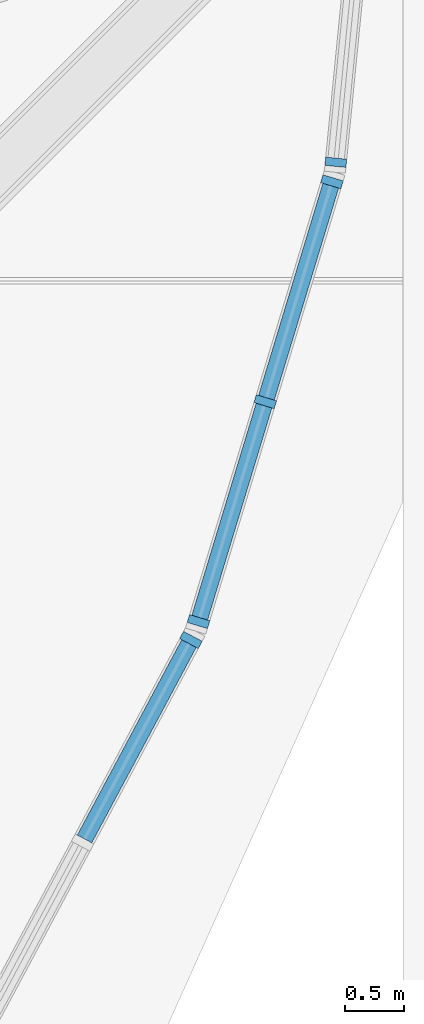
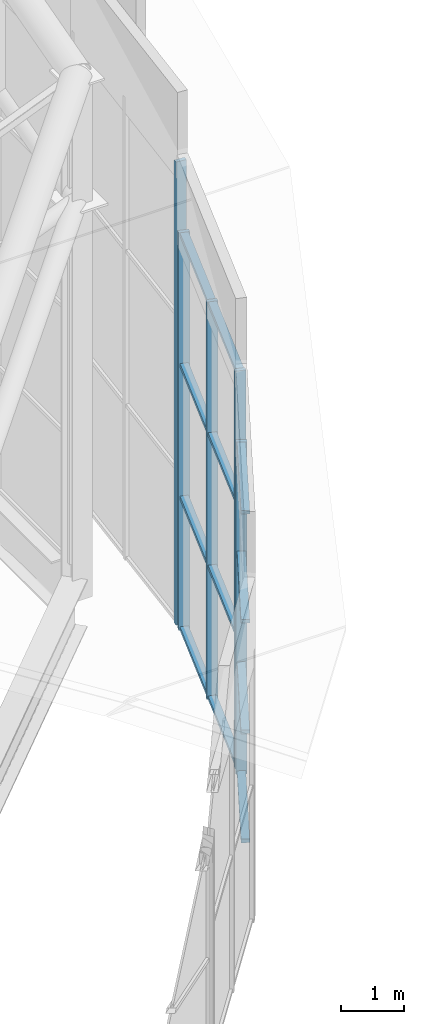
# One storey, part 11 of 42: 17 members, 3 elements without a shape of their own.
"""IFC4 building model written with IfcOpenShell, lengths in metres."""

from ifc_helpers import new_model, si_unit, direction, frame, origin, origin_2d, place, context, subcontext, project, spatial, rectangle, extrude, material, layer, layer_set, material_profile, profile_set, type_object, element, aggregate, save


model = new_model("IFC4")

# Units and contexts
model_context = context("Model", 3, precision=1e-05, world=origin(), true_north=direction((0.0, 1.0)))
body_context = subcontext(model_context, "Body", "Model", "MODEL_VIEW")
ifc_project = project(units=[si_unit("LENGTHUNIT", "METRE"), si_unit("AREAUNIT", "SQUARE_METRE"), si_unit("VOLUMEUNIT", "CUBIC_METRE"), si_unit("PLANEANGLEUNIT", "RADIAN"), si_unit("MASSUNIT", "GRAM", prefix="KILO")], contexts=[model_context])

# Site, building, storey
site_placement = place(None, origin())
site = spatial("IfcSite", under=ifc_project, at=site_placement, CompositionType="ELEMENT")
building_placement = place(site_placement, origin())
building = spatial("IfcBuilding", under=site, at=building_placement, Name="Caelomonte Colonnade Arena", CompositionType="ELEMENT")
storey_placement = place(building_placement, frame((0.0, 0.0, 28.199951171875)))
storey = spatial("IfcBuildingStorey", under=building, at=storey_placement, Name="RF", CompositionType="ELEMENT", Elevation=28.199951171875)

# Curtain wall, member
ifc_material_1 = material(Name="Bronze anodised aluminium and low-E glazing", Category="aluminium")
ifc_layer_1 = layer(ifc_material_1, 0.179931640625)
ifc_layer_set_1 = layer_set([ifc_layer_1], Name="Bronze anodised aluminium and low-E glazing")
curtain_wall_type_1 = type_object("IfcCurtainWallType", Name="ENV-CW-CW-TYMPC-03-64", PredefinedType="USERDEFINED", material=ifc_layer_set_1)
curtain_wall_1_placement = place(storey_placement, origin())
curtain_wall_1 = element("IfcCurtainWall", 1, at=curtain_wall_1_placement, inside=storey, type_object=curtain_wall_type_1, Name="Barrel arch rounded corner clerestory curtain wall 6", ObjectType="UNITIZED CURTAIN WALL", PredefinedType="USERDEFINED")
ifc_material_2 = material(Name="Bronze anodised aluminium AA6063-T6", Category="aluminium")
ifc_material_profile_1 = material_profile(ifc_material_2, rectangle(XDim=0.070068359375, YDim=0.179931640625, at=origin_2d()), Name="CWM-70X180")
ifc_profile_set_1 = profile_set([ifc_material_profile_1], Name="Bronze anodised aluminium AA6063-T6")
member_type_1 = type_object("IfcMemberType", Name="ENV-CW-MULL1", PredefinedType="MULLION", material=ifc_profile_set_1)
member_1_placement = place(storey_placement, frame((162.59521484375, 32.157470703125, -0.14990234375), z_axis=(0.0, 0.0, 1.0), x_axis=(0.471391087795, 0.881924283795, 0.0)))
member_1 = element("IfcMember", 2, at=member_1_placement, type_object=member_type_1, Name="CW-TYMPC-03-64 mullion 3", PredefinedType="MULLION", context=body_context, shape_type="SweptSolid", body=[
    extrude(rectangle(XDim=0.070068359375, YDim=0.179931640625, at=origin_2d()), origin(), (0.0, 0.0, 1.0), 6.40966796875),
])

# Curtain wall, members
ifc_layer_2 = layer(ifc_material_1, 0.179931640625)
ifc_layer_set_2 = layer_set([ifc_layer_2], Name="Bronze anodised aluminium and low-E glazing")
curtain_wall_type_2 = type_object("IfcCurtainWallType", Name="ENV-CW-CW-TYMPC-02-77", PredefinedType="USERDEFINED", material=ifc_layer_set_2)
curtain_wall_2_placement = place(storey_placement, origin())
curtain_wall_2 = element("IfcCurtainWall", 3, at=curtain_wall_2_placement, inside=storey, type_object=curtain_wall_type_2, Name="Barrel arch rounded corner clerestory curtain wall 7", ObjectType="UNITIZED CURTAIN WALL", PredefinedType="USERDEFINED")
member_2_placement = place(storey_placement, frame((162.659912109375, 32.313720703125, -0.14990234375), z_axis=(0.0, 0.0, 1.0), x_axis=(0.290266004632, 0.956945999811, 0.0)))
member_2 = element("IfcMember", 4, at=member_2_placement, type_object=member_type_1, Name="CW-TYMPC-02-77 mullion 1", PredefinedType="MULLION", context=body_context, shape_type="SweptSolid", body=[
    extrude(rectangle(XDim=0.070068359375, YDim=0.179931640625, at=origin_2d()), origin(), (0.0, 0.0, 1.0), 7.666259765625),
])
member_3_placement = place(storey_placement, frame((163.2275390625, 34.185302734375, -0.14990234375), z_axis=(0.0, 0.0, 1.0), x_axis=(0.290266004632, 0.956945999811, 0.0)))
member_3 = element("IfcMember", 5, at=member_3_placement, type_object=member_type_1, Name="CW-TYMPC-02-77 mullion 2", PredefinedType="MULLION", context=body_context, shape_type="SweptSolid", body=[
    extrude(rectangle(XDim=0.070068359375, YDim=0.179931640625, at=origin_2d()), origin(), (0.0, 0.0, 1.0), 7.666259765625),
])
member_4_placement = place(storey_placement, frame((163.795166015625, 36.056884765625, -0.14990234375), z_axis=(0.0, 0.0, 1.0), x_axis=(0.290266004632, 0.956945999811, 0.0)))
member_4 = element("IfcMember", 6, at=member_4_placement, type_object=member_type_1, Name="CW-TYMPC-02-77 mullion 3", PredefinedType="MULLION", context=body_context, shape_type="SweptSolid", body=[
    extrude(rectangle(XDim=0.070068359375, YDim=0.179931640625, at=origin_2d()), origin(), (0.0, 0.0, 1.0), 7.666259765625),
])

# Curtain wall, member
ifc_layer_3 = layer(ifc_material_1, 0.179931640625)
ifc_layer_set_3 = layer_set([ifc_layer_3], Name="Bronze anodised aluminium and low-E glazing")
curtain_wall_type_3 = type_object("IfcCurtainWallType", Name="ENV-CW-CW-TYMPC-01-89", PredefinedType="USERDEFINED", material=ifc_layer_set_3)
curtain_wall_3_placement = place(storey_placement, origin())
curtain_wall_3 = element("IfcCurtainWall", 7, at=curtain_wall_3_placement, inside=storey, type_object=curtain_wall_type_3, Name="Barrel arch rounded corner clerestory curtain wall 8", ObjectType="UNITIZED CURTAIN WALL", PredefinedType="USERDEFINED")
member_5_placement = place(storey_placement, frame((163.828125, 36.222900390625, -0.14990234375), z_axis=(0.0, 0.0, 1.0), x_axis=(0.098031417843, 0.995183320356, 0.0)))
member_5 = element("IfcMember", 8, at=member_5_placement, type_object=member_type_1, Name="CW-TYMPC-01-89 mullion 1", PredefinedType="MULLION", context=body_context, shape_type="SweptSolid", body=[
    extrude(rectangle(XDim=0.070068359375, YDim=0.179931640625, at=origin_2d()), origin(), (0.0, 0.0, 1.0), 8.93017578125),
])
aggregate(curtain_wall_3, [member_5])

# Member
ifc_material_profile_2 = material_profile(ifc_material_2, rectangle(XDim=0.070068359375, YDim=0.139892578125, at=origin_2d()), Name="CWT-70X140")
ifc_profile_set_2 = profile_set([ifc_material_profile_2], Name="Bronze anodised aluminium AA6063-T6")
member_type_2 = type_object("IfcMemberType", Name="ENV-CW-TRAN1", PredefinedType="USERDEFINED", material=ifc_profile_set_2)
member_6_placement = place(storey_placement, frame((161.689697265625, 30.463623046875, -0.114990234375), z_axis=(0.471387688347, 0.881926100802, 0.0), x_axis=(0.0, 0.0, 1.0)))
member_6 = element("IfcMember", 9, at=member_6_placement, type_object=member_type_2, Name="CW-TYMPC-03-64 transom 2.1", ObjectType="TRANSOM", PredefinedType="USERDEFINED", context=body_context, shape_type="SweptSolid", body=[
    extrude(rectangle(XDim=0.070068359375, YDim=0.139892578125, at=origin_2d()), origin(), (0.0, 0.0, 1.0), 1.8857421875),
])

member_7_placement = place(storey_placement, frame((161.689697265625, 30.463623046875, 1.986572265625), z_axis=(0.471387688347, 0.881926100802, 0.0), x_axis=(0.0, 0.0, 1.0)))
member_7 = element("IfcMember", 10, at=member_7_placement, type_object=member_type_2, Name="CW-TYMPC-03-64 transom 2.2", ObjectType="TRANSOM", PredefinedType="USERDEFINED", context=body_context, shape_type="SweptSolid", body=[
    extrude(rectangle(XDim=0.070068359375, YDim=0.139892578125, at=origin_2d()), origin(), (0.0, 0.0, 1.0), 1.8857421875),
])

member_8_placement = place(storey_placement, frame((161.689697265625, 30.463623046875, 4.123046875), z_axis=(0.471387688347, 0.881926100802, 0.0), x_axis=(0.0, 0.0, 1.0)))
member_8 = element("IfcMember", 11, at=member_8_placement, type_object=member_type_2, Name="CW-TYMPC-03-64 transom 2.3", ObjectType="TRANSOM", PredefinedType="USERDEFINED", context=body_context, shape_type="SweptSolid", body=[
    extrude(rectangle(XDim=0.070068359375, YDim=0.139892578125, at=origin_2d()), origin(), (0.0, 0.0, 1.0), 1.8857421875),
])

member_9_placement = place(storey_placement, frame((161.689697265625, 30.463623046875, 6.224853515625), z_axis=(0.471387688347, 0.881926100802, 0.0), x_axis=(0.0, 0.0, 1.0)))
member_9 = element("IfcMember", 12, at=member_9_placement, type_object=member_type_2, Name="CW-TYMPC-03-64 transom 2.4", ObjectType="TRANSOM", PredefinedType="USERDEFINED", context=body_context, shape_type="SweptSolid", body=[
    extrude(rectangle(XDim=0.070068359375, YDim=0.139892578125, at=origin_2d()), origin(), (0.0, 0.0, 1.0), 1.8857421875),
])

aggregate(curtain_wall_1, [member_1, member_6, member_7, member_8, member_9])

member_10_placement = place(storey_placement, frame((162.669921875, 32.34716796875, -0.114990234375), z_axis=(0.29024452618, 0.956952514508, 0.0), x_axis=(0.0, 0.0, 1.0)))
member_10 = element("IfcMember", 13, at=member_10_placement, type_object=member_type_2, Name="CW-TYMPC-02-77 transom 1.1", ObjectType="TRANSOM", PredefinedType="USERDEFINED", context=body_context, shape_type="SweptSolid", body=[
    extrude(rectangle(XDim=0.070068359375, YDim=0.139892578125, at=origin_2d()), origin(), (0.0, 0.0, 1.0), 1.885986328125),
])

member_11_placement = place(storey_placement, frame((162.669921875, 32.34716796875, 2.405517578125), z_axis=(0.29024452618, 0.956952514508, 0.0), x_axis=(0.0, 0.0, 1.0)))
member_11 = element("IfcMember", 14, at=member_11_placement, type_object=member_type_2, Name="CW-TYMPC-02-77 transom 1.2", ObjectType="TRANSOM", PredefinedType="USERDEFINED", context=body_context, shape_type="SweptSolid", body=[
    extrude(rectangle(XDim=0.070068359375, YDim=0.139892578125, at=origin_2d()), origin(), (0.0, 0.0, 1.0), 1.885986328125),
])

member_12_placement = place(storey_placement, frame((162.669921875, 32.34716796875, 4.9609375), z_axis=(0.29024452618, 0.956952514508, 0.0), x_axis=(0.0, 0.0, 1.0)))
member_12 = element("IfcMember", 15, at=member_12_placement, type_object=member_type_2, Name="CW-TYMPC-02-77 transom 1.3", ObjectType="TRANSOM", PredefinedType="USERDEFINED", context=body_context, shape_type="SweptSolid", body=[
    extrude(rectangle(XDim=0.070068359375, YDim=0.139892578125, at=origin_2d()), origin(), (0.0, 0.0, 1.0), 1.885986328125),
])

member_13_placement = place(storey_placement, frame((162.669921875, 32.34716796875, 7.481201171875), z_axis=(0.29024452618, 0.956952514508, 0.0), x_axis=(0.0, 0.0, 1.0)))
member_13 = element("IfcMember", 16, at=member_13_placement, type_object=member_type_2, Name="CW-TYMPC-02-77 transom 1.4", ObjectType="TRANSOM", PredefinedType="USERDEFINED", context=body_context, shape_type="SweptSolid", body=[
    extrude(rectangle(XDim=0.070068359375, YDim=0.139892578125, at=origin_2d()), origin(), (0.0, 0.0, 1.0), 1.885986328125),
])

member_14_placement = place(storey_placement, frame((163.23779296875, 34.21875, -0.114990234375), z_axis=(0.29024452618, 0.956952514508, 0.0), x_axis=(0.0, 0.0, 1.0)))
member_14 = element("IfcMember", 17, at=member_14_placement, type_object=member_type_2, Name="CW-TYMPC-02-77 transom 2.1", ObjectType="TRANSOM", PredefinedType="USERDEFINED", context=body_context, shape_type="SweptSolid", body=[
    extrude(rectangle(XDim=0.070068359375, YDim=0.139892578125, at=origin_2d()), origin(), (0.0, 0.0, 1.0), 1.885986328125),
])

member_15_placement = place(storey_placement, frame((163.23779296875, 34.21875, 2.405517578125), z_axis=(0.29024452618, 0.956952514508, 0.0), x_axis=(0.0, 0.0, 1.0)))
member_15 = element("IfcMember", 18, at=member_15_placement, type_object=member_type_2, Name="CW-TYMPC-02-77 transom 2.2", ObjectType="TRANSOM", PredefinedType="USERDEFINED", context=body_context, shape_type="SweptSolid", body=[
    extrude(rectangle(XDim=0.070068359375, YDim=0.139892578125, at=origin_2d()), origin(), (0.0, 0.0, 1.0), 1.885986328125),
])

member_16_placement = place(storey_placement, frame((163.23779296875, 34.21875, 4.9609375), z_axis=(0.29024452618, 0.956952514508, 0.0), x_axis=(0.0, 0.0, 1.0)))
member_16 = element("IfcMember", 19, at=member_16_placement, type_object=member_type_2, Name="CW-TYMPC-02-77 transom 2.3", ObjectType="TRANSOM", PredefinedType="USERDEFINED", context=body_context, shape_type="SweptSolid", body=[
    extrude(rectangle(XDim=0.070068359375, YDim=0.139892578125, at=origin_2d()), origin(), (0.0, 0.0, 1.0), 1.885986328125),
])

member_17_placement = place(storey_placement, frame((163.23779296875, 34.21875, 7.481201171875), z_axis=(0.29024452618, 0.956952514508, 0.0), x_axis=(0.0, 0.0, 1.0)))
member_17 = element("IfcMember", 20, at=member_17_placement, type_object=member_type_2, Name="CW-TYMPC-02-77 transom 2.4", ObjectType="TRANSOM", PredefinedType="USERDEFINED", context=body_context, shape_type="SweptSolid", body=[
    extrude(rectangle(XDim=0.070068359375, YDim=0.139892578125, at=origin_2d()), origin(), (0.0, 0.0, 1.0), 1.885986328125),
])

aggregate(curtain_wall_2, [member_2, member_3, member_4, member_10, member_11, member_12, member_13, member_14, member_15, member_16, member_17])

save(model, "model.ifc")
